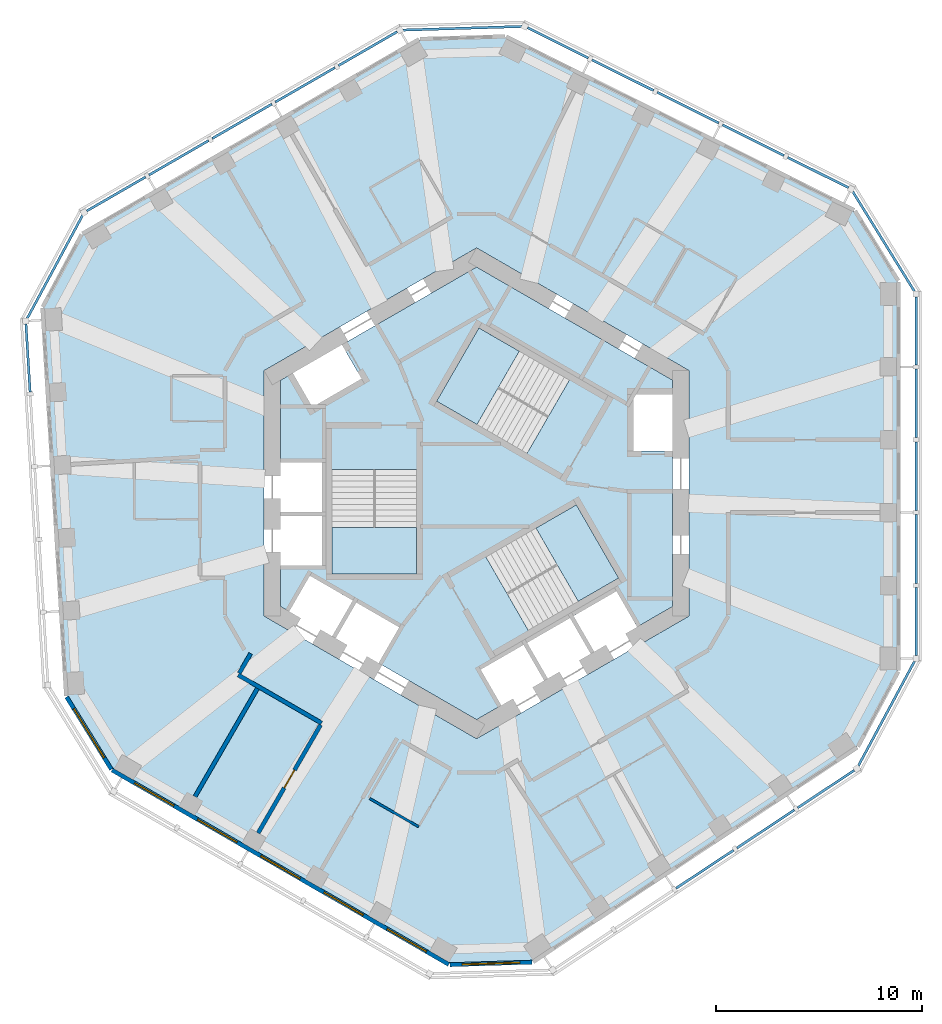
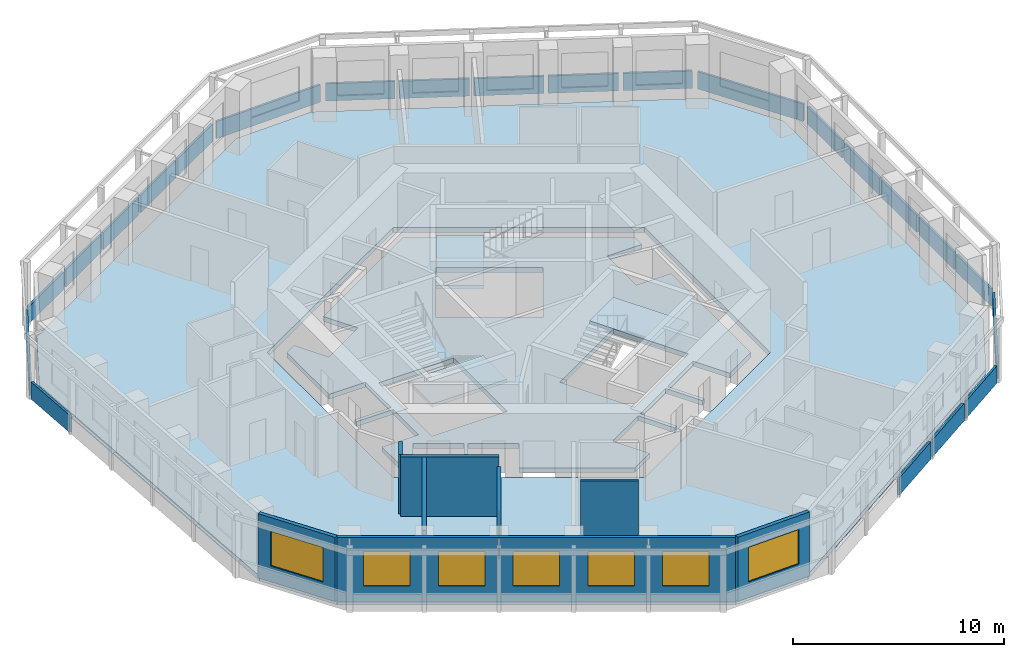
# One storey, part 3 of 11: 23 plates, 8 walls, 7 windows, 5 slabs, 1 door, 8 openings, 12 elements without a shape of their own.
"""IFC4 building model written with IfcOpenShell, lengths in metres."""

from ifc_helpers import new_model, si_unit, direction, frame, frame_2d, origin, origin_2d, place, context, subcontext, project, spatial, polyline, rectangle, outline, extrude, material, layer, layer_set, type_object, element, fill, aggregate, save


model = new_model("IFC4")

# Units and contexts
model_context = context("Model", 3, precision=1e-05, world=origin(), true_north=direction((0.0, 1.0)))
body_context = subcontext(model_context, "Body", "Model", "MODEL_VIEW")
ifc_project = project(units=[si_unit("LENGTHUNIT", "METRE"), si_unit("AREAUNIT", "SQUARE_METRE"), si_unit("VOLUMEUNIT", "CUBIC_METRE"), si_unit("PLANEANGLEUNIT", "RADIAN"), si_unit("MASSUNIT", "GRAM", prefix="KILO")], contexts=[model_context])

# Site, building, storey
site_placement = place(None, origin())
site = spatial("IfcSite", under=ifc_project, at=site_placement, CompositionType="ELEMENT")
building_placement = place(site_placement, origin())
building = spatial("IfcBuilding", under=site, at=building_placement, Name="Vanh Sen Convention Tower", CompositionType="ELEMENT")
storey_placement = place(building_placement, frame((0.0, 0.0, 236.5)))
storey = spatial("IfcBuildingStorey", under=building, at=storey_placement, Name="L58", CompositionType="ELEMENT", Elevation=236.5)

# Slabs
ifc_material_1 = material(Name="Concrete C40/50", Category="concrete")
ifc_layer_1 = layer(ifc_material_1, 0.280029296875)
ifc_layer_set_1 = layer_set([ifc_layer_1], Name="Concrete C40/50")
slab_type_1 = type_object("IfcSlabType", Name="Core slab 280", PredefinedType="FLOOR", material=ifc_layer_set_1)
slab_1_placement = place(storey_placement, frame((0.0, 0.0, -0.280029296875)))
element("IfcSlab", 1, at=slab_1_placement, inside=storey, type_object=slab_type_1, Name="Core slab L58", PredefinedType="FLOOR", context=body_context, shape_type="SweptSolid", body=[
    extrude(outline(polyline([(0.0, 10.9697265625), (9.5, 5.48486328125), (9.5, 4.800048828125), (7.60009765625, 4.800048828125), (7.60009765625, 2.050048828125), (9.5, 2.050048828125), (9.5, -5.48486328125), (7.781005859375, -6.477294921875), (6.781005859375, -4.7451171875), (4.70263671875, -5.9453125), (5.70263671875, -7.67724609375), (5.529296875, -7.777099609375), (4.529296875, -6.045166015625), (2.450927734375, -7.2451171875), (3.450927734375, -8.977294921875), (3.27783203125, -9.0771484375), (2.27783203125, -7.34521484375), (0.19921875, -8.545166015625), (1.19921875, -10.277099609375), (0.0, -10.9697265625), (-4.75, -8.227294921875), (-3.75, -6.4951171875), (-5.82861328125, -5.295166015625), (-6.82861328125, -7.027099609375), (-7.001708984375, -6.92724609375), (-6.001708984375, -5.1953125), (-8.080078125, -3.9951171875), (-9.080078125, -5.727294921875), (-9.5, -5.48486328125), (-9.5, -3.5), (-7.5, -3.5), (-7.5, -1.10009765625), (-9.5, -1.10009765625), (-9.5, -0.89990234375), (-7.5, -0.89990234375), (-7.5, 1.5), (-9.5, 1.5), (-9.5, 5.48486328125), (-8.906982421875, 5.8271484375), (-7.956787109375, 4.181884765625), (-5.575439453125, 5.556884765625), (-6.525390625, 7.2021484375), (0.0, 10.9697265625)]), holes=[polyline([(-7.0, 1.1494140625), (-7.0, -3.909912109375), (-2.89990234375, -3.909912109375), (-2.89990234375, 1.1494140625), (-7.0, 1.1494140625)]), polyline([(2.504638671875, -6.63671875), (6.88623046875, -4.107177734375), (4.836181640625, -0.556396484375), (0.45458984375, -3.086181640625), (2.504638671875, -6.63671875)]), polyline([(0.11376953125, 8.01708984375), (-1.936279296875, 4.466552734375), (2.4453125, 1.936767578125), (4.495361328125, 5.487548828125), (0.11376953125, 8.01708984375)])]), origin(), (0.0, 0.0, 1.0), 0.280029296875),
])
ifc_layer_2 = layer(ifc_material_1, 0.280029296875)
ifc_layer_set_2 = layer_set([ifc_layer_2], Name="Concrete C40/50")
slab_type_2 = type_object("IfcSlabType", Name="Floor slab 280 REI 120", PredefinedType="FLOOR", material=ifc_layer_set_2)
slab_2_placement = place(storey_placement, frame((0.0, 0.0, -0.280029296875)))
element("IfcSlab", 2, at=slab_2_placement, inside=storey, type_object=slab_type_2, Name="Floor slab L58 tower", PredefinedType="FLOOR", context=body_context, shape_type="SweptSolid", body=[
    extrude(outline(polyline([(20.39990234375, -8.602783203125), (20.39990234375, 10.265380859375), (18.289306640625, 13.67626953125), (1.403564453125, 22.09521484375), (-2.749755859375, 21.96826171875), (-19.090087890625, 12.5341796875), (-20.988525390625, 9.000732421875), (-19.8369140625, -9.83203125), (-17.650146484375, -13.365478515625), (-1.309814453125, -22.799560546875), (2.699462890625, -22.677001953125), (18.433349609375, -12.26318359375), (20.39990234375, -8.602783203125)]), holes=[polyline([(0.0, 11.893310546875), (-10.300048828125, 5.94677734375), (-10.300048828125, -5.94677734375), (0.0, -11.893310546875), (10.300048828125, -5.94677734375), (10.300048828125, 5.94677734375), (0.0, 11.893310546875)])]), origin(), (0.0, 0.0, 1.0), 0.280029296875),
])

# Curtain wall, plates
ifc_material_2 = material(Name="Concrete C50/60", Category="concrete")
curtain_wall_type = type_object("IfcCurtainWallType", Name="Outer skin office zone", PredefinedType="NOTDEFINED", material=ifc_material_2)
curtain_wall_1_placement = place(storey_placement, origin())
curtain_wall_1 = element("IfcCurtainWall", 3, at=curtain_wall_1_placement, inside=storey, type_object=curtain_wall_type, Name="OUTER SKIN E L58", PredefinedType="NOTDEFINED")
ifc_layer_3 = layer(ifc_material_2, 0.1201171875)
ifc_layer_set_3 = layer_set([ifc_layer_3], Name="Concrete C50/60")
plate_type = type_object("IfcPlateType", Name="Outer skin precast screen panel 120", PredefinedType="CURTAIN_PANEL", material=ifc_layer_set_3)
plate_1_placement = place(storey_placement, frame((21.300048828125, -6.2109375, 0.0), z_axis=(0.0, 0.0, 1.0), x_axis=(0.0, 1.0, 0.0)))
plate_1 = element("IfcPlate", 4, at=plate_1_placement, type_object=plate_type, Name="OUTER SKIN screen panel E-1", PredefinedType="CURTAIN_PANEL", context=body_context, shape_type="SweptSolid", body=[
    extrude(rectangle(XDim=3.28369140625, YDim=0.1201171875, at=origin_2d()), origin(), (0.0, 0.0, 1.0), 1.0),
])
plate_2_placement = place(storey_placement, frame((21.300048828125, -2.702392578125, 0.0), z_axis=(0.0, 0.0, 1.0), x_axis=(0.0, 1.0, 0.0)))
plate_2 = element("IfcPlate", 5, at=plate_2_placement, type_object=plate_type, Name="OUTER SKIN screen panel E-2", PredefinedType="CURTAIN_PANEL", context=body_context, shape_type="SweptSolid", body=[
    extrude(rectangle(XDim=3.333740234375, YDim=0.1201171875, at=origin_2d()), origin(), (0.0, 0.0, 1.0), 1.0),
])
plate_3_placement = place(storey_placement, frame((21.300048828125, 0.831298828125, 0.0), z_axis=(0.0, 0.0, 1.0), x_axis=(0.0, 1.0, 0.0)))
plate_3 = element("IfcPlate", 6, at=plate_3_placement, type_object=plate_type, Name="OUTER SKIN screen panel E-3", PredefinedType="CURTAIN_PANEL", context=body_context, shape_type="SweptSolid", body=[
    extrude(rectangle(XDim=3.33349609375, YDim=0.1201171875, at=origin_2d()), origin(), (0.0, 0.0, 1.0), 1.0),
])
plate_4_placement = place(storey_placement, frame((21.300048828125, 4.364990234375, 0.0), z_axis=(0.0, 0.0, 1.0), x_axis=(0.0, 1.0, 0.0)))
plate_4 = element("IfcPlate", 7, at=plate_4_placement, type_object=plate_type, Name="OUTER SKIN screen panel E-4", PredefinedType="CURTAIN_PANEL", context=body_context, shape_type="SweptSolid", body=[
    extrude(rectangle(XDim=3.33349609375, YDim=0.1201171875, at=origin_2d()), origin(), (0.0, 0.0, 1.0), 1.0),
])
plate_5_placement = place(storey_placement, frame((21.300048828125, 7.87353515625, 0.0), z_axis=(0.0, 0.0, 1.0), x_axis=(0.0, 1.0, 0.0)))
plate_5 = element("IfcPlate", 8, at=plate_5_placement, type_object=plate_type, Name="OUTER SKIN screen panel E-5", PredefinedType="CURTAIN_PANEL", context=body_context, shape_type="SweptSolid", body=[
    extrude(rectangle(XDim=3.28369140625, YDim=0.1201171875, at=origin_2d()), origin(), (0.0, 0.0, 1.0), 1.0),
])
aggregate(curtain_wall_1, [plate_1, plate_2, plate_3, plate_4, plate_5])

# Curtain wall, plate
curtain_wall_2_placement = place(storey_placement, origin())
curtain_wall_2 = element("IfcCurtainWall", 9, at=curtain_wall_2_placement, inside=storey, type_object=curtain_wall_type, Name="OUTER SKIN CH1 L58", PredefinedType="NOTDEFINED")
plate_6_placement = place(storey_placement, frame((19.726806640625, 12.20751953125, 0.0), z_axis=(0.0, 0.0, 1.0), x_axis=(-0.526216891938, 0.850350388157, 0.0)))
plate_6 = element("IfcPlate", 10, at=plate_6_placement, type_object=plate_type, Name="OUTER SKIN screen panel CH1-1", PredefinedType="CURTAIN_PANEL", context=body_context, shape_type="SweptSolid", body=[
    extrude(rectangle(XDim=5.6787109375, YDim=0.1201171875, at=origin_2d()), origin(), (0.0, 0.0, 1.0), 1.0),
])
aggregate(curtain_wall_2, [plate_6])

# Curtain wall, plates
curtain_wall_3_placement = place(storey_placement, origin())
curtain_wall_3 = element("IfcCurtainWall", 11, at=curtain_wall_3_placement, inside=storey, type_object=curtain_wall_type, Name="OUTER SKIN NE L58", PredefinedType="NOTDEFINED")
plate_7_placement = place(storey_placement, frame((16.55029296875, 15.549072265625, 0.0), z_axis=(0.0, 0.0, 1.0), x_axis=(-0.894930467757, 0.446205622868, 0.0)))
plate_7 = element("IfcPlate", 12, at=plate_7_placement, type_object=plate_type, Name="OUTER SKIN screen panel NE-1", PredefinedType="CURTAIN_PANEL", context=body_context, shape_type="SweptSolid", body=[
    extrude(rectangle(XDim=3.28369140625, YDim=0.1201171875, at=origin_2d()), origin(), (0.0, 0.0, 1.0), 1.0),
])
plate_8_placement = place(storey_placement, frame((13.410400390625, 17.114501953125, 0.0), z_axis=(0.0, 0.0, 1.0), x_axis=(-0.894935919121, 0.446194689197, 0.0)))
plate_8 = element("IfcPlate", 13, at=plate_8_placement, type_object=plate_type, Name="OUTER SKIN screen panel NE-2", PredefinedType="CURTAIN_PANEL", context=body_context, shape_type="SweptSolid", body=[
    extrude(rectangle(XDim=3.333740234375, YDim=0.1201171875, at=origin_2d()), origin(), (0.0, 0.0, 1.0), 1.0),
])
plate_9_placement = place(storey_placement, frame((10.248046875, 18.691162109375, 0.0), z_axis=(0.0, 0.0, 1.0), x_axis=(-0.894935919121, 0.446194689197, 0.0)))
plate_9 = element("IfcPlate", 14, at=plate_9_placement, type_object=plate_type, Name="OUTER SKIN screen panel NE-3", PredefinedType="CURTAIN_PANEL", context=body_context, shape_type="SweptSolid", body=[
    extrude(rectangle(XDim=3.333740234375, YDim=0.1201171875, at=origin_2d()), origin(), (0.0, 0.0, 1.0), 1.0),
])
plate_10_placement = place(storey_placement, frame((7.085693359375, 20.267822265625, 0.0), z_axis=(0.0, 0.0, 1.0), x_axis=(-0.894935919121, 0.446194689197, 0.0)))
plate_10 = element("IfcPlate", 15, at=plate_10_placement, type_object=plate_type, Name="OUTER SKIN screen panel NE-4", PredefinedType="CURTAIN_PANEL", context=body_context, shape_type="SweptSolid", body=[
    extrude(rectangle(XDim=3.333740234375, YDim=0.1201171875, at=origin_2d()), origin(), (0.0, 0.0, 1.0), 1.0),
])
plate_11_placement = place(storey_placement, frame((3.945556640625, 21.83349609375, 0.0), z_axis=(0.0, 0.0, 1.0), x_axis=(-0.894930467757, 0.446205622868, 0.0)))
plate_11 = element("IfcPlate", 16, at=plate_11_placement, type_object=plate_type, Name="OUTER SKIN screen panel NE-5", PredefinedType="CURTAIN_PANEL", context=body_context, shape_type="SweptSolid", body=[
    extrude(rectangle(XDim=3.28369140625, YDim=0.1201171875, at=origin_2d()), origin(), (0.0, 0.0, 1.0), 1.0),
])
aggregate(curtain_wall_3, [plate_7, plate_8, plate_9, plate_10, plate_11])

# Curtain wall, plate
curtain_wall_4_placement = place(storey_placement, origin())
curtain_wall_4 = element("IfcCurtainWall", 17, at=curtain_wall_4_placement, inside=storey, type_object=curtain_wall_type, Name="OUTER SKIN CH2 L58", PredefinedType="NOTDEFINED")
plate_12_placement = place(storey_placement, frame((-0.688720703125, 22.540283203125, 0.0), z_axis=(0.0, 0.0, 1.0), x_axis=(-0.999533430924, -0.030543746755, 0.0)))
plate_12 = element("IfcPlate", 18, at=plate_12_placement, type_object=plate_type, Name="OUTER SKIN screen panel CH2-1", PredefinedType="CURTAIN_PANEL", context=body_context, shape_type="SweptSolid", body=[
    extrude(rectangle(XDim=5.764404296875, YDim=0.1201171875, at=origin_2d()), origin(), (0.0, 0.0, 1.0), 1.0),
])
aggregate(curtain_wall_4, [plate_12])

# Curtain wall, plates
curtain_wall_5_placement = place(storey_placement, origin())
curtain_wall_5 = element("IfcCurtainWall", 19, at=curtain_wall_5_placement, inside=storey, type_object=curtain_wall_type, Name="OUTER SKIN NW L58", PredefinedType="NOTDEFINED")
plate_13_placement = place(storey_placement, frame((-5.271240234375, 21.5517578125, 0.0), z_axis=(0.0, 0.0, 1.0), x_axis=(-0.866026276448, -0.4999984885, 0.0)))
plate_13 = element("IfcPlate", 20, at=plate_13_placement, type_object=plate_type, Name="OUTER SKIN screen panel NW-1", PredefinedType="CURTAIN_PANEL", context=body_context, shape_type="SweptSolid", body=[
    extrude(rectangle(XDim=3.28369140625, YDim=0.1201171875, at=origin_2d()), origin(), (0.0, 0.0, 1.0), 1.0),
])
plate_14_placement = place(storey_placement, frame((-8.309814453125, 19.797607421875, 0.0), z_axis=(0.0, 0.0, 1.0), x_axis=(-0.866026276448, -0.4999984885, 0.0)))
plate_14 = element("IfcPlate", 21, at=plate_14_placement, type_object=plate_type, Name="OUTER SKIN screen panel NW-2", PredefinedType="CURTAIN_PANEL", context=body_context, shape_type="SweptSolid", body=[
    extrude(rectangle(XDim=3.33349609375, YDim=0.1201171875, at=origin_2d()), origin(), (0.0, 0.0, 1.0), 1.0),
])
plate_15_placement = place(storey_placement, frame((-11.369873046875, 18.03076171875, 0.0), z_axis=(0.0, 0.0, 1.0), x_axis=(-0.866026276448, -0.4999984885, 0.0)))
plate_15 = element("IfcPlate", 22, at=plate_15_placement, type_object=plate_type, Name="OUTER SKIN screen panel NW-3", PredefinedType="CURTAIN_PANEL", context=body_context, shape_type="SweptSolid", body=[
    extrude(rectangle(XDim=3.33349609375, YDim=0.1201171875, at=origin_2d()), origin(), (0.0, 0.0, 1.0), 1.0),
])
plate_16_placement = place(storey_placement, frame((-14.43017578125, 16.263916015625, 0.0), z_axis=(0.0, 0.0, 1.0), x_axis=(-0.866014058921, -0.500019649364, 0.0)))
plate_16 = element("IfcPlate", 23, at=plate_16_placement, type_object=plate_type, Name="OUTER SKIN screen panel NW-4", PredefinedType="CURTAIN_PANEL", context=body_context, shape_type="SweptSolid", body=[
    extrude(rectangle(XDim=3.333740234375, YDim=0.1201171875, at=origin_2d()), origin(), (0.0, 0.0, 1.0), 1.0),
])
plate_17_placement = place(storey_placement, frame((-17.46875, 14.509521484375, 0.0), z_axis=(0.0, 0.0, 1.0), x_axis=(-0.866033257659, -0.499986396443, 0.0)))
plate_17 = element("IfcPlate", 24, at=plate_17_placement, type_object=plate_type, Name="OUTER SKIN screen panel NW-5", PredefinedType="CURTAIN_PANEL", context=body_context, shape_type="SweptSolid", body=[
    extrude(rectangle(XDim=3.28369140625, YDim=0.1201171875, at=origin_2d()), origin(), (0.0, 0.0, 1.0), 1.0),
])
aggregate(curtain_wall_5, [plate_13, plate_14, plate_15, plate_16, plate_17])

# Curtain wall, plate
curtain_wall_6_placement = place(storey_placement, origin())
curtain_wall_6 = element("IfcCurtainWall", 25, at=curtain_wall_6_placement, inside=storey, type_object=curtain_wall_type, Name="OUTER SKIN CH3 L58", PredefinedType="NOTDEFINED")
plate_18_placement = place(storey_placement, frame((-20.435302734375, 10.980224609375, 0.0), z_axis=(0.0, 0.0, 1.0), x_axis=(-0.473307367584, -0.880897346909, 0.0)))
plate_18 = element("IfcPlate", 26, at=plate_18_placement, type_object=plate_type, Name="OUTER SKIN screen panel CH3-1", PredefinedType="CURTAIN_PANEL", context=body_context, shape_type="SweptSolid", body=[
    extrude(rectangle(XDim=5.6787109375, YDim=0.1201171875, at=origin_2d()), origin(), (0.0, 0.0, 1.0), 1.0),
])
aggregate(curtain_wall_6, [plate_18])

curtain_wall_7_placement = place(storey_placement, origin())
curtain_wall_7 = element("IfcCurtainWall", 27, at=curtain_wall_7_placement, inside=storey, type_object=curtain_wall_type, Name="OUTER SKIN W L58", PredefinedType="NOTDEFINED")
plate_19_placement = place(storey_placement, frame((-21.740966796875, 6.55859375, 0.0), z_axis=(0.0, 0.0, 1.0), x_axis=(0.061043313312, -0.998135118058, 0.0)))
plate_19 = element("IfcPlate", 28, at=plate_19_placement, type_object=plate_type, Name="OUTER SKIN screen panel W-1", PredefinedType="CURTAIN_PANEL", context=body_context, shape_type="SweptSolid", body=[
    extrude(rectangle(XDim=3.28369140625, YDim=0.1201171875, at=origin_2d()), origin(), (0.0, 0.0, 1.0), 1.0),
])
aggregate(curtain_wall_7, [plate_19])

# Curtain wall, plates
curtain_wall_8_placement = place(storey_placement, origin())
curtain_wall_8 = element("IfcCurtainWall", 29, at=curtain_wall_8_placement, inside=storey, type_object=curtain_wall_type, Name="OUTER SKIN SE L58", PredefinedType="NOTDEFINED")
plate_20_placement = place(storey_placement, frame((11.06298828125, -18.220703125, 0.0), z_axis=(0.0, 0.0, 1.0), x_axis=(0.833896418343, 0.551920975752, 0.0)))
plate_20 = element("IfcPlate", 30, at=plate_20_placement, type_object=plate_type, Name="OUTER SKIN screen panel SE-3", PredefinedType="CURTAIN_PANEL", context=body_context, shape_type="SweptSolid", body=[
    extrude(rectangle(XDim=3.333740234375, YDim=0.1201171875, at=origin_2d()), origin(), (0.0, 0.0, 1.0), 1.0),
])
plate_21_placement = place(storey_placement, frame((14.009765625, -16.270263671875, 0.0), z_axis=(0.0, 0.0, 1.0), x_axis=(0.833874262143, 0.551954450055, 0.0)))
plate_21 = element("IfcPlate", 31, at=plate_21_placement, type_object=plate_type, Name="OUTER SKIN screen panel SE-4", PredefinedType="CURTAIN_PANEL", context=body_context, shape_type="SweptSolid", body=[
    extrude(rectangle(XDim=3.33349609375, YDim=0.1201171875, at=origin_2d()), origin(), (0.0, 0.0, 1.0), 1.0),
])
plate_22_placement = place(storey_placement, frame((16.935546875, -14.333740234375, 0.0), z_axis=(0.0, 0.0, 1.0), x_axis=(0.833896418343, 0.551920975752, 0.0)))
plate_22 = element("IfcPlate", 32, at=plate_22_placement, type_object=plate_type, Name="OUTER SKIN screen panel SE-5", PredefinedType="CURTAIN_PANEL", context=body_context, shape_type="SweptSolid", body=[
    extrude(rectangle(XDim=3.28369140625, YDim=0.1201171875, at=origin_2d()), origin(), (0.0, 0.0, 1.0), 1.0),
])
aggregate(curtain_wall_8, [plate_20, plate_21, plate_22])

# Curtain wall, plate
curtain_wall_9_placement = place(storey_placement, origin())
curtain_wall_9 = element("IfcCurtainWall", 33, at=curtain_wall_9_placement, inside=storey, type_object=curtain_wall_type, Name="OUTER SKIN CH6 L58", PredefinedType="NOTDEFINED")
plate_23_placement = place(storey_placement, frame((19.864990234375, -10.673828125, 0.0), z_axis=(0.0, 0.0, 1.0), x_axis=(0.473313517396, 0.880894042579, 0.0)))
plate_23 = element("IfcPlate", 34, at=plate_23_placement, type_object=plate_type, Name="OUTER SKIN screen panel CH6-1", PredefinedType="CURTAIN_PANEL", context=body_context, shape_type="SweptSolid", body=[
    extrude(rectangle(XDim=5.76416015625, YDim=0.1201171875, at=origin_2d()), origin(), (0.0, 0.0, 1.0), 1.0),
])
aggregate(curtain_wall_9, [plate_23])

# Stair, slab
ifc_material_3 = material(Name="Concrete C50/60", Category="concrete")
stair_type_1 = type_object("IfcStairType", Name="Exit stair ST1 22 risers at 168.2", PredefinedType="HALF_TURN_STAIR", material=ifc_material_3)
stair_1_placement = place(storey_placement, origin())
stair_1 = element("IfcStair", 35, at=stair_1_placement, inside=storey, type_object=stair_type_1, Name="Exit stair ST1 L58", PredefinedType="HALF_TURN_STAIR")
ifc_layer_4 = layer(ifc_material_1, 0.199951171875)
ifc_layer_set_4 = layer_set([ifc_layer_4], Name="Concrete C40/50")
slab_type_3 = type_object("IfcSlabType", Name="Stair landing 200", PredefinedType="LANDING", material=ifc_layer_set_4)
slab_3_placement = place(storey_placement, frame((0.0, 0.0, 1.64990234375)))
slab_3 = element("IfcSlab", 36, at=slab_3_placement, type_object=slab_type_3, Name="ST1 landing 1", PredefinedType="LANDING", context=body_context, shape_type="SweptSolid", body=[
    extrude(outline(polyline([(2.07177734375, 6.88671875), (0.11376953125, 8.01708984375), (-1.936279296875, 4.466552734375), (0.021728515625, 3.336181640625), (2.07177734375, 6.88671875)])), origin(), (0.0, 0.0, 1.0), 0.2001953125),
])
aggregate(stair_1, [slab_3])

stair_type_2 = type_object("IfcStairType", Name="Exit stair ST2 22 risers at 168.2", PredefinedType="HALF_TURN_STAIR", material=ifc_material_3)
stair_2_placement = place(storey_placement, origin())
stair_2 = element("IfcStair", 37, at=stair_2_placement, inside=storey, type_object=stair_type_2, Name="Exit stair ST2 L58", PredefinedType="HALF_TURN_STAIR")
slab_4_placement = place(storey_placement, frame((0.0, 0.0, 1.64990234375)))
slab_4 = element("IfcSlab", 38, at=slab_4_placement, type_object=slab_type_3, Name="ST2 landing 1", PredefinedType="LANDING", context=body_context, shape_type="SweptSolid", body=[
    extrude(outline(polyline([(-7.0, -1.6494140625), (-7.0, -3.909912109375), (-2.89990234375, -3.909912109375), (-2.89990234375, -1.6494140625), (-7.0, -1.6494140625)])), origin(), (0.0, 0.0, 1.0), 0.2001953125),
])
aggregate(stair_2, [slab_4])

stair_type_3 = type_object("IfcStairType", Name="Exit stair ST3 22 risers at 168.2", PredefinedType="HALF_TURN_STAIR", material=ifc_material_3)
stair_3_placement = place(storey_placement, origin())
stair_3 = element("IfcStair", 39, at=stair_3_placement, inside=storey, type_object=stair_type_3, Name="Exit stair ST3 L58", PredefinedType="HALF_TURN_STAIR")
slab_5_placement = place(storey_placement, frame((0.0, 0.0, 1.64990234375)))
slab_5 = element("IfcSlab", 40, at=slab_5_placement, type_object=slab_type_3, Name="ST3 landing 1", PredefinedType="LANDING", context=body_context, shape_type="SweptSolid", body=[
    extrude(outline(polyline([(4.92822265625, -5.237548828125), (6.88623046875, -4.107177734375), (4.836181640625, -0.556396484375), (2.87841796875, -1.686767578125), (4.92822265625, -5.237548828125)])), origin(), (0.0, 0.0, 1.0), 0.2001953125),
])
aggregate(stair_3, [slab_5])

# Walls
ifc_material_4 = material(Name="Moisture-resistant gypsum board on steel studs", Category="steel")
ifc_layer_5 = layer(ifc_material_4, 0.1201171875)
ifc_layer_set_5 = layer_set([ifc_layer_5], Name="Moisture-resistant gypsum board on steel studs")
wall_type_1 = type_object("IfcWallType", Name="Bathroom partition 120", PredefinedType="PARTITIONING", material=ifc_layer_set_5)
wall_1_placement = place(storey_placement, frame((-2.80859375, -16.160888671875, 0.0), z_axis=(0.0, 0.0, 1.0), x_axis=(-0.865997131366, 0.500048966069, 0.0)))
element("IfcWall", 41, at=wall_1_placement, inside=storey, type_object=wall_type_1, Name="Bathroom partition 120", PredefinedType="PARTITIONING", context=body_context, shape_type="SweptSolid", body=[
    extrude(rectangle(XDim=2.739990234375, YDim=0.1201171875, at=frame_2d((1.3701171875, 0.0))), origin(), (0.0, 0.0, 1.0), 3.419921875),
])
ifc_material_5 = material(Name="Gypsum board on steel studs with mineral wool", Category="steel")
ifc_layer_6 = layer(ifc_material_5, 0.199951171875)
ifc_layer_set_6 = layer_set([ifc_layer_6], Name="Gypsum board on steel studs with mineral wool")
wall_type_2 = type_object("IfcWallType", Name="Corridor partition wall 200", PredefinedType="PARTITIONING", material=ifc_layer_set_6)
wall_2_placement = place(storey_placement, frame((-11.551025390625, -8.80517578125, 0.0), z_axis=(0.0, 0.0, 1.0), x_axis=(0.866038310922, -0.499977643516, 0.0)))
element("IfcWall", 42, at=wall_2_placement, inside=storey, type_object=wall_type_2, Name="Corridor partition wall 200", PredefinedType="PARTITIONING", context=body_context, shape_type="SweptSolid", body=[
    extrude(rectangle(XDim=4.665283203125, YDim=0.199951171875, at=frame_2d((2.33251953125, 0.0))), origin(), (0.0, 0.0, 1.0), 3.419921875),
])
wall_3_placement = place(storey_placement, frame((-10.95068359375, -7.764892578125, 0.0), z_axis=(0.0, 0.0, 1.0), x_axis=(-0.499978356969, -0.866037899034, 0.0)))
element("IfcWall", 43, at=wall_3_placement, inside=storey, type_object=wall_type_2, Name="Corridor partition wall 200", PredefinedType="PARTITIONING", context=body_context, shape_type="SweptSolid", body=[
    extrude(rectangle(XDim=1.10107421875, YDim=0.199951171875, at=frame_2d((0.550537109375, 0.0))), origin(), (0.0, 0.0, 1.0), 3.419921875),
])

# Wall, opening, door
wall_4_placement = place(storey_placement, frame((-10.585205078125, -16.462890625, 0.0), z_axis=(0.0, 0.0, 1.0), x_axis=(0.499993802756, 0.866028981735, 0.0)))
wall_4 = element("IfcWall", 44, at=wall_4_placement, inside=storey, type_object=wall_type_2, Name="Corridor partition wall 200", PredefinedType="PARTITIONING", context=body_context, shape_type="SweptSolid", body=[
    extrude(rectangle(XDim=6.048828125, YDim=0.199951171875, at=frame_2d((3.0244140625, 0.0))), origin(), (0.0, 0.0, 1.0), 2.8701171875),
])
opening_1_placement = place(wall_4_placement, frame((2.5244140625, 0.0, 0.0)))
opening_1 = element("IfcOpeningElement", 45, at=opening_1_placement, cuts=wall_4, Name="Opening D56111", PredefinedType="OPENING", context=body_context, shape_type="SweptSolid", body=[
    extrude(rectangle(XDim=1.0, YDim=2.10009765625, at=frame_2d((0.5, 1.050048828125))), frame((0.0, 0.10986328125, 0.0), z_axis=(0.0, -1.0, 0.0), x_axis=(1.0, 0.0, 0.0)), (0.0, 0.0, 1.0), 0.219970703125),
])
ifc_material_6 = material(Name="Glazed fire door in steel frame", Category="steel")
door_type = type_object("IfcDoorType", Name="Tenant entrance door 1000", OperationType="SINGLE_SWING_LEFT", PredefinedType="DOOR", material=ifc_material_6)
door_placement = place(opening_1_placement, origin())
door = element("IfcDoor", 46, at=door_placement, inside=storey, type_object=door_type, Name="Tenant suite entrance door D56111", OperationType="SINGLE_SWING_LEFT", OverallHeight=2.10009765625, OverallWidth=1.0, PredefinedType="DOOR", context=body_context, shape_type="SweptSolid", body=[
    extrude(rectangle(XDim=1.0, YDim=2.10009765625, at=frame_2d((0.5, 1.050048828125))), frame((0.0, 0.02490234375, 0.0), z_axis=(0.0, -1.0, 0.0), x_axis=(1.0, 0.0, 0.0)), (0.0, 0.0, 1.0), 0.050048828125),
])
fill(opening_1, door)

# Wall, opening, window
ifc_material_7 = material(Name="Insulated lightweight infill wall")
ifc_layer_7 = layer(ifc_material_7, 0.199951171875)
ifc_layer_set_7 = layer_set([ifc_layer_7], Name="Insulated lightweight infill wall")
wall_type_3 = type_object("IfcWallType", Name="External wall 200", PredefinedType="STANDARD", material=ifc_layer_set_7)
wall_5_placement = place(storey_placement, frame((-19.872802734375, -9.869140625, 0.0), z_axis=(0.0, 0.0, 1.0), x_axis=(0.52626914263, -0.850318051975, 0.0)))
wall_5 = element("IfcWall", 47, at=wall_5_placement, inside=storey, type_object=wall_type_3, Name="External wall CH4 L58", PredefinedType="STANDARD", context=body_context, shape_type="SweptSolid", body=[
    extrude(rectangle(XDim=4.130126953125, YDim=0.199951171875, at=frame_2d((2.06494140625, 0.0))), origin(), (0.0, 0.0, 1.0), 3.699951171875),
])
opening_2_placement = place(wall_5_placement, frame((0.6650390625, 0.0, 0.89990234375)))
opening_2 = element("IfcOpeningElement", 48, at=opening_2_placement, cuts=wall_5, Name="Opening WO4-CH41", PredefinedType="OPENING", context=body_context, shape_type="SweptSolid", body=[
    extrude(rectangle(XDim=2.800048828125, YDim=2.0, at=frame_2d((1.39990234375, 1.0))), frame((0.0, 0.10986328125, 0.0), z_axis=(0.0, -1.0, 0.0), x_axis=(1.0, 0.0, 0.0)), (0.0, 0.0, 1.0), 0.219970703125),
])
ifc_material_8 = material(Name="Aluminium frame with clear low-emissivity glass", Category="aluminium")
window_type_1 = type_object("IfcWindowType", Name="Office window 2800 x 2000", PartitioningType="SINGLE_PANEL", PredefinedType="WINDOW", material=ifc_material_8)
window_1_placement = place(opening_2_placement, origin())
window_1 = element("IfcWindow", 49, at=window_1_placement, inside=storey, type_object=window_type_1, Name="Window WO4-CH41", OverallHeight=2.0, OverallWidth=2.800048828125, PartitioningType="SINGLE_PANEL", PredefinedType="WINDOW", context=body_context, shape_type="SweptSolid", body=[
    extrude(rectangle(XDim=2.800048828125, YDim=2.0, at=frame_2d((1.39990234375, 1.0))), frame((0.0, 0.030029296875, 0.0), z_axis=(0.0, -1.0, 0.0), x_axis=(1.0, 0.0, 0.0)), (0.0, 0.0, 1.0), 0.06005859375),
])
fill(opening_2, window_1)

# Wall, openings, windows
wall_6_placement = place(storey_placement, frame((-17.664306640625, -13.4150390625, 0.0), z_axis=(0.0, 0.0, 1.0), x_axis=(0.866026555358, -0.49999800541, 0.0)))
wall_6 = element("IfcWall", 50, at=wall_6_placement, inside=storey, type_object=wall_type_3, Name="External wall SW L58", PredefinedType="STANDARD", context=body_context, shape_type="SweptSolid", body=[
    extrude(rectangle(XDim=18.84130859375, YDim=0.199951171875, at=frame_2d((9.420654296875, 0.0))), origin(), (0.0, 0.0, 1.0), 3.699951171875),
])
opening_3_placement = place(wall_6_placement, frame((1.254150390625, 0.0, 0.89990234375)))
opening_3 = element("IfcOpeningElement", 51, at=opening_3_placement, cuts=wall_6, Name="Opening WO3-SW1", PredefinedType="OPENING", context=body_context, shape_type="SweptSolid", body=[
    extrude(rectangle(XDim=2.199951171875, YDim=2.0, at=frame_2d((1.10009765625, 1.0))), frame((0.0, 0.10986328125, 0.0), z_axis=(0.0, -1.0, 0.0), x_axis=(1.0, 0.0, 0.0)), (0.0, 0.0, 1.0), 0.219970703125),
])
opening_4_placement = place(wall_6_placement, frame((4.787841796875, 0.0, 0.89990234375)))
opening_4 = element("IfcOpeningElement", 52, at=opening_4_placement, cuts=wall_6, Name="Opening WO3-SW2", PredefinedType="OPENING", context=body_context, shape_type="SweptSolid", body=[
    extrude(rectangle(XDim=2.199951171875, YDim=2.0, at=frame_2d((1.10009765625, 1.0))), frame((0.0, 0.10986328125, 0.0), z_axis=(0.0, -1.0, 0.0), x_axis=(1.0, 0.0, 0.0)), (0.0, 0.0, 1.0), 0.219970703125),
])
opening_5_placement = place(wall_6_placement, frame((8.321533203125, 0.0, 0.89990234375)))
opening_5 = element("IfcOpeningElement", 53, at=opening_5_placement, cuts=wall_6, Name="Opening WO3-SW3", PredefinedType="OPENING", context=body_context, shape_type="SweptSolid", body=[
    extrude(rectangle(XDim=2.199951171875, YDim=2.0, at=frame_2d((1.10009765625, 1.0))), frame((0.0, 0.10986328125, 0.0), z_axis=(0.0, -1.0, 0.0), x_axis=(1.0, 0.0, 0.0)), (0.0, 0.0, 1.0), 0.219970703125),
])
opening_6_placement = place(wall_6_placement, frame((11.85498046875, 0.0, 0.89990234375)))
opening_6 = element("IfcOpeningElement", 54, at=opening_6_placement, cuts=wall_6, Name="Opening WO3-SW4", PredefinedType="OPENING", context=body_context, shape_type="SweptSolid", body=[
    extrude(rectangle(XDim=2.199951171875, YDim=2.0, at=frame_2d((1.10009765625, 1.0))), frame((0.0, 0.10986328125, 0.0), z_axis=(0.0, -1.0, 0.0), x_axis=(1.0, 0.0, 0.0)), (0.0, 0.0, 1.0), 0.219970703125),
])
opening_7_placement = place(wall_6_placement, frame((15.388671875, 0.0, 0.89990234375)))
opening_7 = element("IfcOpeningElement", 55, at=opening_7_placement, cuts=wall_6, Name="Opening WO3-SW5", PredefinedType="OPENING", context=body_context, shape_type="SweptSolid", body=[
    extrude(rectangle(XDim=2.199951171875, YDim=2.0, at=frame_2d((1.10009765625, 1.0))), frame((0.0, 0.10986328125, 0.0), z_axis=(0.0, -1.0, 0.0), x_axis=(1.0, 0.0, 0.0)), (0.0, 0.0, 1.0), 0.219970703125),
])
window_type_2 = type_object("IfcWindowType", Name="Office window 2200 x 2000", PartitioningType="SINGLE_PANEL", PredefinedType="WINDOW", material=ifc_material_8)
window_2_placement = place(opening_3_placement, origin())
window_2 = element("IfcWindow", 56, at=window_2_placement, inside=storey, type_object=window_type_2, Name="Window WO3-SW1", OverallHeight=2.0, OverallWidth=2.199951171875, PartitioningType="SINGLE_PANEL", PredefinedType="WINDOW", context=body_context, shape_type="SweptSolid", body=[
    extrude(rectangle(XDim=2.199951171875, YDim=2.0, at=frame_2d((1.10009765625, 1.0))), frame((0.0, 0.030029296875, 0.0), z_axis=(0.0, -1.0, 0.0), x_axis=(1.0, 0.0, 0.0)), (0.0, 0.0, 1.0), 0.06005859375),
])
fill(opening_3, window_2)
window_3_placement = place(opening_4_placement, origin())
window_3 = element("IfcWindow", 57, at=window_3_placement, inside=storey, type_object=window_type_2, Name="Window WO3-SW2", OverallHeight=2.0, OverallWidth=2.199951171875, PartitioningType="SINGLE_PANEL", PredefinedType="WINDOW", context=body_context, shape_type="SweptSolid", body=[
    extrude(rectangle(XDim=2.199951171875, YDim=2.0, at=frame_2d((1.10009765625, 1.0))), frame((0.0, 0.030029296875, 0.0), z_axis=(0.0, -1.0, 0.0), x_axis=(1.0, 0.0, 0.0)), (0.0, 0.0, 1.0), 0.06005859375),
])
fill(opening_4, window_3)
window_4_placement = place(opening_5_placement, origin())
window_4 = element("IfcWindow", 58, at=window_4_placement, inside=storey, type_object=window_type_2, Name="Window WO3-SW3", OverallHeight=2.0, OverallWidth=2.199951171875, PartitioningType="SINGLE_PANEL", PredefinedType="WINDOW", context=body_context, shape_type="SweptSolid", body=[
    extrude(rectangle(XDim=2.199951171875, YDim=2.0, at=frame_2d((1.10009765625, 1.0))), frame((0.0, 0.030029296875, 0.0), z_axis=(0.0, -1.0, 0.0), x_axis=(1.0, 0.0, 0.0)), (0.0, 0.0, 1.0), 0.06005859375),
])
fill(opening_5, window_4)
window_5_placement = place(opening_6_placement, origin())
window_5 = element("IfcWindow", 59, at=window_5_placement, inside=storey, type_object=window_type_2, Name="Window WO3-SW4", OverallHeight=2.0, OverallWidth=2.199951171875, PartitioningType="SINGLE_PANEL", PredefinedType="WINDOW", context=body_context, shape_type="SweptSolid", body=[
    extrude(rectangle(XDim=2.199951171875, YDim=2.0, at=frame_2d((1.10009765625, 1.0))), frame((0.0, 0.030029296875, 0.0), z_axis=(0.0, -1.0, 0.0), x_axis=(1.0, 0.0, 0.0)), (0.0, 0.0, 1.0), 0.06005859375),
])
fill(opening_6, window_5)
window_6_placement = place(opening_7_placement, origin())
window_6 = element("IfcWindow", 60, at=window_6_placement, inside=storey, type_object=window_type_2, Name="Window WO3-SW5", OverallHeight=2.0, OverallWidth=2.199951171875, PartitioningType="SINGLE_PANEL", PredefinedType="WINDOW", context=body_context, shape_type="SweptSolid", body=[
    extrude(rectangle(XDim=2.199951171875, YDim=2.0, at=frame_2d((1.10009765625, 1.0))), frame((0.0, 0.030029296875, 0.0), z_axis=(0.0, -1.0, 0.0), x_axis=(1.0, 0.0, 0.0)), (0.0, 0.0, 1.0), 0.06005859375),
])
fill(opening_7, window_6)

# Wall, opening, window
wall_7_placement = place(storey_placement, frame((-1.294189453125, -22.84912109375, 0.0), z_axis=(0.0, 0.0, 1.0), x_axis=(0.999533952558, 0.030526671678, 0.0)))
wall_7 = element("IfcWall", 61, at=wall_7_placement, inside=storey, type_object=wall_type_3, Name="External wall CH5 L58", PredefinedType="STANDARD", context=body_context, shape_type="SweptSolid", body=[
    extrude(rectangle(XDim=3.98291015625, YDim=0.199951171875, at=frame_2d((1.991455078125, 0.0))), origin(), (0.0, 0.0, 1.0), 3.699951171875),
])
opening_8_placement = place(wall_7_placement, frame((0.59130859375, 0.0, 0.89990234375)))
opening_8 = element("IfcOpeningElement", 62, at=opening_8_placement, cuts=wall_7, Name="Opening WO4-CH51", PredefinedType="OPENING", context=body_context, shape_type="SweptSolid", body=[
    extrude(rectangle(XDim=2.800048828125, YDim=2.0, at=frame_2d((1.39990234375, 1.0))), frame((0.0, 0.10986328125, 0.0), z_axis=(0.0, -1.0, 0.0), x_axis=(1.0, 0.0, 0.0)), (0.0, 0.0, 1.0), 0.219970703125),
])
window_7_placement = place(opening_8_placement, origin())
window_7 = element("IfcWindow", 63, at=window_7_placement, inside=storey, type_object=window_type_1, Name="Window WO4-CH51", OverallHeight=2.0, OverallWidth=2.800048828125, PartitioningType="SINGLE_PANEL", PredefinedType="WINDOW", context=body_context, shape_type="SweptSolid", body=[
    extrude(rectangle(XDim=2.800048828125, YDim=2.0, at=frame_2d((1.39990234375, 1.0))), frame((0.0, 0.030029296875, 0.0), z_axis=(0.0, -1.0, 0.0), x_axis=(1.0, 0.0, 0.0)), (0.0, 0.0, 1.0), 0.06005859375),
])
fill(opening_8, window_7)

# Wall
ifc_layer_8 = layer(ifc_material_5, 0.199951171875)
ifc_layer_set_8 = layer_set([ifc_layer_8], Name="Gypsum board on steel studs with mineral wool")
wall_type_4 = type_object("IfcWallType", Name="Tenant suite wall 200", PredefinedType="PARTITIONING", material=ifc_layer_set_8)
wall_8_placement = place(storey_placement, frame((-13.6455078125, -14.6962890625, 0.0), z_axis=(0.0, 0.0, 1.0), x_axis=(0.500006596359, 0.866021595341, 0.0)))
element("IfcWall", 64, at=wall_8_placement, inside=storey, type_object=wall_type_4, Name="Tenant suite wall 200", PredefinedType="PARTITIONING", context=body_context, shape_type="SweptSolid", body=[
    extrude(rectangle(XDim=6.04931640625, YDim=0.199951171875, at=frame_2d((3.024658203125, 0.0))), origin(), (0.0, 0.0, 1.0), 3.419921875),
])

save(model, "model.ifc")
